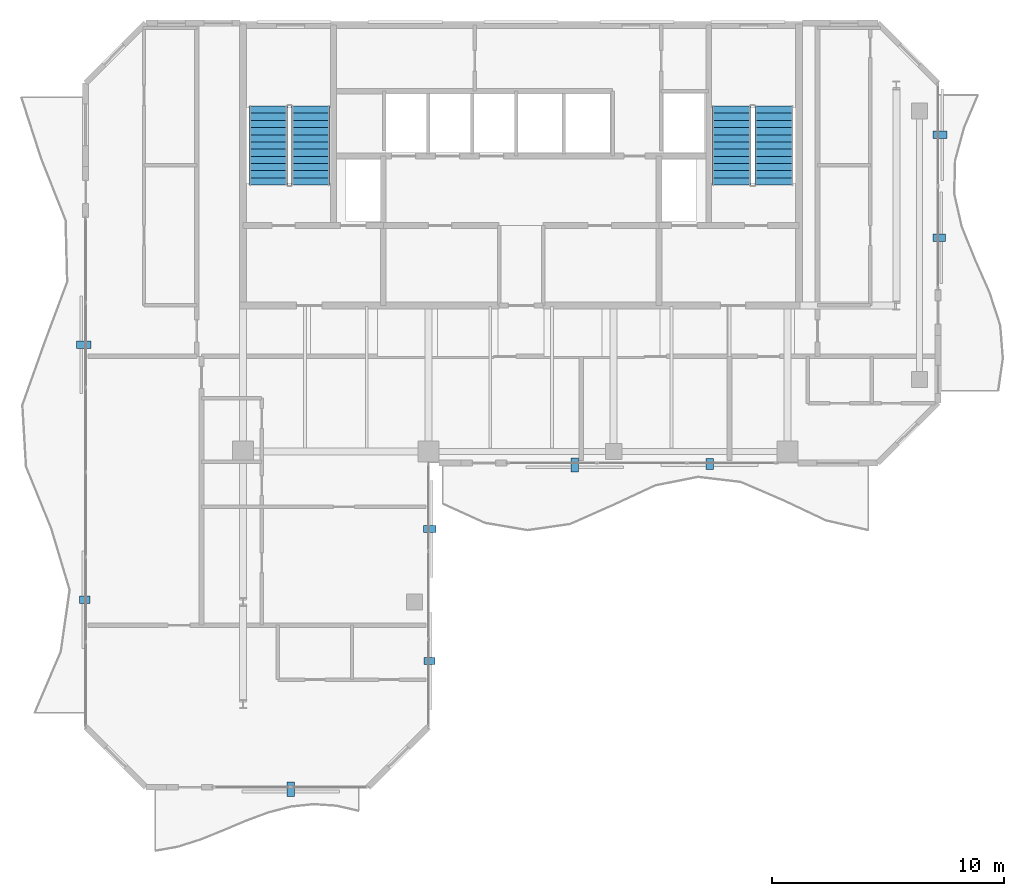
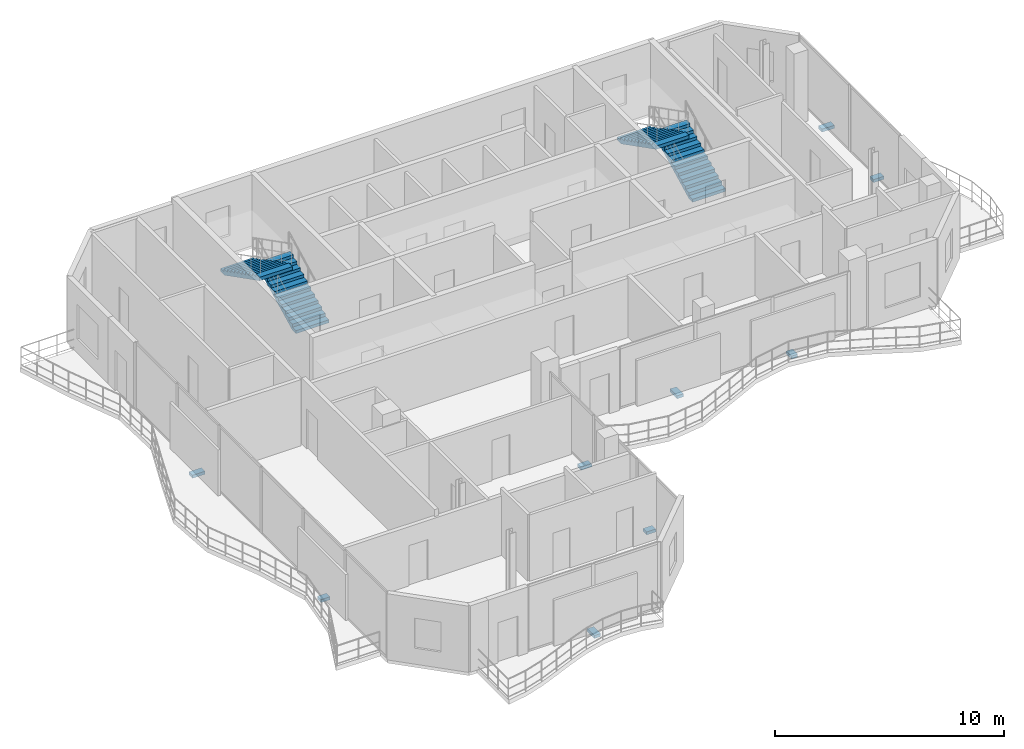
# One storey, part 14 of 16: 9 discrete accessories, 4 stair flights, 2 elements without a shape of their own.
"""IFC4 building model written with IfcOpenShell, lengths in metres."""

from ifc_helpers import new_model, si_unit, direction, frame, origin, origin_2d, place, context, subcontext, project, spatial, polyline, rectangle, outline, extrude, material, type_object, element, aggregate, save


model = new_model("IFC4")

# Units and contexts
model_context = context("Model", 3, precision=1e-05, world=origin(), true_north=direction((0.0, 1.0)))
body_context = subcontext(model_context, "Body", "Model", "MODEL_VIEW")
ifc_project = project(units=[si_unit("LENGTHUNIT", "METRE"), si_unit("AREAUNIT", "SQUARE_METRE"), si_unit("VOLUMEUNIT", "CUBIC_METRE"), si_unit("PLANEANGLEUNIT", "RADIAN"), si_unit("MASSUNIT", "GRAM", prefix="KILO")], contexts=[model_context])

# Site, building, storey
site_placement = place(None, origin())
site = spatial("IfcSite", under=ifc_project, at=site_placement, CompositionType="ELEMENT")
building_placement = place(site_placement, origin())
building = spatial("IfcBuilding", under=site, at=building_placement, Name="Catumbela Crestline Tower", CompositionType="ELEMENT")
storey_placement = place(building_placement, frame((0.0, 0.0, 275.4)))
storey = spatial("IfcBuildingStorey", under=building, at=storey_placement, Name="L71", CompositionType="ELEMENT", Elevation=275.4)

# Stair, stair flights
ifc_material_1 = material(Name="Concrete C45/55", Category="concrete")
stair_type = type_object("IfcStairType", Name="ST-DLG", PredefinedType="HALF_TURN_STAIR", material=ifc_material_1)
stair_1_placement = place(storey_placement, origin())
stair_1 = element("IfcStair", 1, at=stair_1_placement, inside=storey, type_object=stair_type, Name="L71 West Core Pressurised Exit Stair ST-01", PredefinedType="HALF_TURN_STAIR")
stair_flight_type = type_object("IfcStairFlightType", Name="SF-1583", PredefinedType="STRAIGHT", material=ifc_material_1)
stair_flight_1_placement = place(storey_placement, frame((18.92, 36.0, 0.0), z_axis=(0.0, 0.0, 1.0), x_axis=(0.0, 1.0, 0.0)))
stair_flight_1 = element("IfcStairFlight", 2, at=stair_flight_1_placement, type_object=stair_flight_type, Name="ST-01 flight 1", NumberOfRisers=12, NumberOfTreads=11, PredefinedType="STRAIGHT", RiserHeight=0.158333333, TreadLength=0.31, context=body_context, shape_type="SweptSolid", body=[
    extrude(outline(polyline([(0.0, 0.0), (0.0, 0.1583), (0.31, 0.1583), (0.31, 0.3167), (0.62, 0.3167), (0.62, 0.475), (0.93, 0.475), (0.93, 0.6333), (1.24, 0.6333), (1.24, 0.7917), (1.55, 0.7917), (1.55, 0.95), (1.86, 0.95), (1.86, 1.1083), (2.17, 1.1083), (2.17, 1.2667), (2.48, 1.2667), (2.48, 1.425), (2.79, 1.425), (2.79, 1.5833), (3.1, 1.5833), (3.1, 1.7417), (3.41, 1.7417), (3.41, 1.9), (3.41, 1.562), (0.3518, 0.0), (0.0, 0.0)])), frame((0.0, 0.83, 0.0), z_axis=(0.0, -1.0, 0.0), x_axis=(1.0, 0.0, 0.0)), (0.0, 0.0, 1.0), 1.66),
])
stair_flight_2_placement = place(storey_placement, frame((17.08, 39.41, 1.9), z_axis=(0.0, 0.0, 1.0), x_axis=(0.0, -1.0, 0.0)))
stair_flight_2 = element("IfcStairFlight", 3, at=stair_flight_2_placement, type_object=stair_flight_type, Name="ST-01 flight 2", NumberOfRisers=12, NumberOfTreads=11, PredefinedType="STRAIGHT", RiserHeight=0.158333333, TreadLength=0.31, context=body_context, shape_type="SweptSolid", body=[
    extrude(outline(polyline([(0.0, 0.0), (0.0, 0.1583), (0.31, 0.1583), (0.31, 0.3167), (0.62, 0.3167), (0.62, 0.475), (0.93, 0.475), (0.93, 0.6333), (1.24, 0.6333), (1.24, 0.7917), (1.55, 0.7917), (1.55, 0.95), (1.86, 0.95), (1.86, 1.1083), (2.17, 1.1083), (2.17, 1.2667), (2.48, 1.2667), (2.48, 1.425), (2.79, 1.425), (2.79, 1.5833), (3.1, 1.5833), (3.1, 1.7417), (3.41, 1.7417), (3.41, 1.9), (3.41, 1.562), (0.3518, 0.0), (0.0, 0.0)])), frame((0.0, 0.83, 0.0), z_axis=(0.0, -1.0, 0.0), x_axis=(1.0, 0.0, 0.0)), (0.0, 0.0, 1.0), 1.66),
])
aggregate(stair_1, [stair_flight_1, stair_flight_2])

stair_2_placement = place(storey_placement, origin())
stair_2 = element("IfcStair", 4, at=stair_2_placement, inside=storey, type_object=stair_type, Name="L71 East Core Pressurised Exit Stair ST-02", PredefinedType="HALF_TURN_STAIR")
stair_flight_3_placement = place(storey_placement, frame((38.92, 36.0, 0.0), z_axis=(0.0, 0.0, 1.0), x_axis=(0.0, 1.0, 0.0)))
stair_flight_3 = element("IfcStairFlight", 5, at=stair_flight_3_placement, type_object=stair_flight_type, Name="ST-02 flight 1", NumberOfRisers=12, NumberOfTreads=11, PredefinedType="STRAIGHT", RiserHeight=0.158333333, TreadLength=0.31, context=body_context, shape_type="SweptSolid", body=[
    extrude(outline(polyline([(0.0, 0.0), (0.0, 0.1583), (0.31, 0.1583), (0.31, 0.3167), (0.62, 0.3167), (0.62, 0.475), (0.93, 0.475), (0.93, 0.6333), (1.24, 0.6333), (1.24, 0.7917), (1.55, 0.7917), (1.55, 0.95), (1.86, 0.95), (1.86, 1.1083), (2.17, 1.1083), (2.17, 1.2667), (2.48, 1.2667), (2.48, 1.425), (2.79, 1.425), (2.79, 1.5833), (3.1, 1.5833), (3.1, 1.7417), (3.41, 1.7417), (3.41, 1.9), (3.41, 1.562), (0.3518, 0.0), (0.0, 0.0)])), frame((0.0, 0.83, 0.0), z_axis=(0.0, -1.0, 0.0), x_axis=(1.0, 0.0, 0.0)), (0.0, 0.0, 1.0), 1.66),
])
stair_flight_4_placement = place(storey_placement, frame((37.08, 39.41, 1.9), z_axis=(0.0, 0.0, 1.0), x_axis=(0.0, -1.0, 0.0)))
stair_flight_4 = element("IfcStairFlight", 6, at=stair_flight_4_placement, type_object=stair_flight_type, Name="ST-02 flight 2", NumberOfRisers=12, NumberOfTreads=11, PredefinedType="STRAIGHT", RiserHeight=0.158333333, TreadLength=0.31, context=body_context, shape_type="SweptSolid", body=[
    extrude(outline(polyline([(0.0, 0.0), (0.0, 0.1583), (0.31, 0.1583), (0.31, 0.3167), (0.62, 0.3167), (0.62, 0.475), (0.93, 0.475), (0.93, 0.6333), (1.24, 0.6333), (1.24, 0.7917), (1.55, 0.7917), (1.55, 0.95), (1.86, 0.95), (1.86, 1.1083), (2.17, 1.1083), (2.17, 1.2667), (2.48, 1.2667), (2.48, 1.425), (2.79, 1.425), (2.79, 1.5833), (3.1, 1.5833), (3.1, 1.7417), (3.41, 1.7417), (3.41, 1.9), (3.41, 1.562), (0.3518, 0.0), (0.0, 0.0)])), frame((0.0, 0.83, 0.0), z_axis=(0.0, -1.0, 0.0), x_axis=(1.0, 0.0, 0.0)), (0.0, 0.0, 1.0), 1.66),
])
aggregate(stair_2, [stair_flight_3, stair_flight_4])

# Discrete accessories
ifc_material_2 = material(Name="Stainless steel EN 1.4401", Category="steel")
discrete_accessory_type = type_object("IfcDiscreteAccessoryType", Name="BK-SS1", PredefinedType="BRACKET", material=ifc_material_2)
discrete_accessory_1_placement = place(storey_placement, frame((18.05, 9.915, -0.18), z_axis=(0.0, 0.0, 1.0), x_axis=(1.0, 0.0, 0.0)))
element("IfcDiscreteAccessory", 7, at=discrete_accessory_1_placement, inside=storey, type_object=discrete_accessory_type, Name="L71 Solar Screen Stainless Bracket 873", PredefinedType="BRACKET", context=body_context, shape_type="SweptSolid", body=[
    extrude(rectangle(XDim=0.32, YDim=0.62, at=origin_2d()), origin(), (0.0, 0.0, 1.0), 0.16),
])
discrete_accessory_2_placement = place(storey_placement, frame((24.045, 15.45, -0.18), z_axis=(0.0, 0.0, 1.0), x_axis=(0.0, 1.0, 0.0)))
element("IfcDiscreteAccessory", 8, at=discrete_accessory_2_placement, inside=storey, type_object=discrete_accessory_type, Name="L71 Solar Screen Stainless Bracket 874", PredefinedType="BRACKET", context=body_context, shape_type="SweptSolid", body=[
    extrude(rectangle(XDim=0.32, YDim=0.46, at=origin_2d()), origin(), (0.0, 0.0, 1.0), 0.16),
])
discrete_accessory_3_placement = place(storey_placement, frame((24.065, 21.15, -0.18), z_axis=(0.0, 0.0, 1.0), x_axis=(0.0, 1.0, 0.0)))
element("IfcDiscreteAccessory", 9, at=discrete_accessory_3_placement, inside=storey, type_object=discrete_accessory_type, Name="L71 Solar Screen Stainless Bracket 875", PredefinedType="BRACKET", context=body_context, shape_type="SweptSolid", body=[
    extrude(rectangle(XDim=0.32, YDim=0.54, at=origin_2d()), origin(), (0.0, 0.0, 1.0), 0.16),
])
discrete_accessory_4_placement = place(storey_placement, frame((30.3125, 23.915, -0.18), z_axis=(0.0, 0.0, 1.0), x_axis=(1.0, 0.0, 0.0)))
element("IfcDiscreteAccessory", 10, at=discrete_accessory_4_placement, inside=storey, type_object=discrete_accessory_type, Name="L71 Solar Screen Stainless Bracket 876", PredefinedType="BRACKET", context=body_context, shape_type="SweptSolid", body=[
    extrude(rectangle(XDim=0.32, YDim=0.62, at=origin_2d()), origin(), (0.0, 0.0, 1.0), 0.16),
])
discrete_accessory_5_placement = place(storey_placement, frame((36.1375, 23.955, -0.18), z_axis=(0.0, 0.0, 1.0), x_axis=(1.0, 0.0, 0.0)))
element("IfcDiscreteAccessory", 11, at=discrete_accessory_5_placement, inside=storey, type_object=discrete_accessory_type, Name="L71 Solar Screen Stainless Bracket 877", PredefinedType="BRACKET", context=body_context, shape_type="SweptSolid", body=[
    extrude(rectangle(XDim=0.32, YDim=0.46, at=origin_2d()), origin(), (0.0, 0.0, 1.0), 0.16),
])
discrete_accessory_6_placement = place(storey_placement, frame((46.065, 33.725, -0.18), z_axis=(0.0, 0.0, 1.0), x_axis=(0.0, 1.0, 0.0)))
element("IfcDiscreteAccessory", 12, at=discrete_accessory_6_placement, inside=storey, type_object=discrete_accessory_type, Name="L71 Solar Screen Stainless Bracket 878", PredefinedType="BRACKET", context=body_context, shape_type="SweptSolid", body=[
    extrude(rectangle(XDim=0.32, YDim=0.54, at=origin_2d()), origin(), (0.0, 0.0, 1.0), 0.16),
])
for number, where, z_axis, x_axis, name in (
    (13, (46.085, 38.175, -0.18), (0.0, 0.0, 1.0), (0.0, 1.0, 0.0), "L71 Solar Screen Stainless Bracket 879"),
    (14, (9.115, 29.1, -0.18), (0.0, 0.0, 1.0), (0.0, -1.0, 0.0), "L71 Solar Screen Stainless Bracket 880"),
):
    element("IfcDiscreteAccessory", number, at=place(storey_placement, frame(where, z_axis=z_axis, x_axis=x_axis)), inside=storey, type_object=discrete_accessory_type, Name=name, PredefinedType="BRACKET", context=body_context, shape_type="SweptSolid", body=[
        extrude(rectangle(XDim=0.32, YDim=0.62, at=origin_2d()), origin(), (0.0, 0.0, 1.0), 0.16),
    ])
discrete_accessory_7_placement = place(storey_placement, frame((9.155, 18.1, -0.18), z_axis=(0.0, 0.0, 1.0), x_axis=(0.0, -1.0, 0.0)))
element("IfcDiscreteAccessory", 15, at=discrete_accessory_7_placement, inside=storey, type_object=discrete_accessory_type, Name="L71 Solar Screen Stainless Bracket 881", PredefinedType="BRACKET", context=body_context, shape_type="SweptSolid", body=[
    extrude(rectangle(XDim=0.32, YDim=0.46, at=origin_2d()), origin(), (0.0, 0.0, 1.0), 0.16),
])

save(model, "model.ifc")
